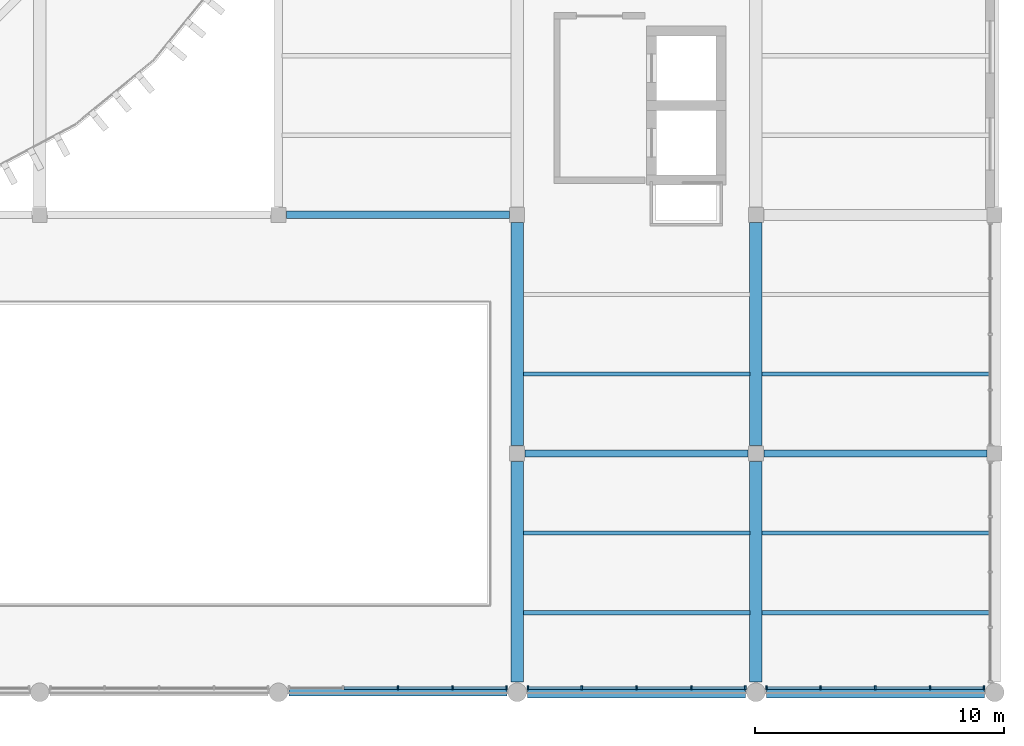
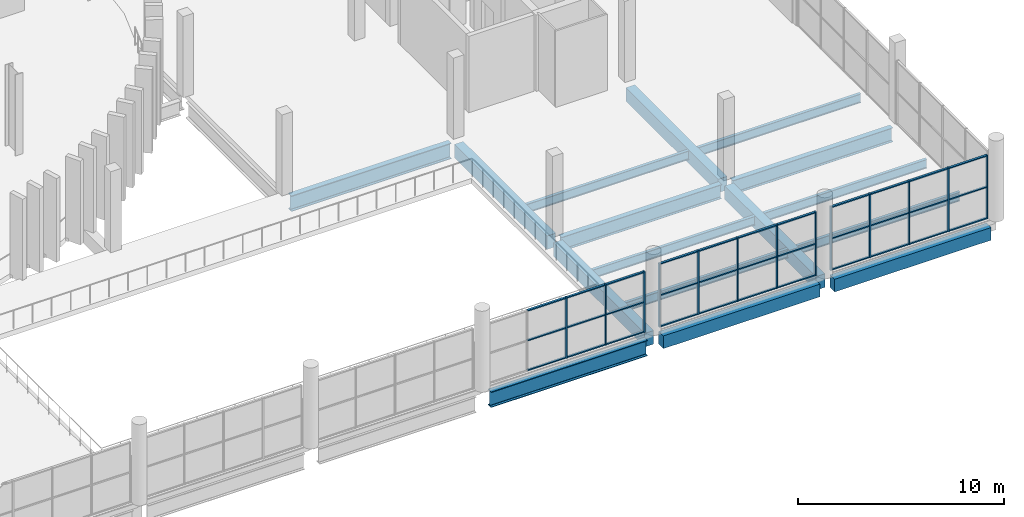
# One storey, part 40 of 99: 46 members, 16 beams, 3 elements without a shape of their own.
"""IFC4 building model written with IfcOpenShell, lengths in metres."""

from ifc_helpers import new_model, si_unit, direction, frame, origin, origin_2d, place, context, subcontext, project, spatial, rectangle, i_section, extrude, material, layer, layer_set, material_profile, profile_set, type_object, element, aggregate, save


model = new_model("IFC4")

# Units and contexts
model_context = context("Model", 3, precision=1e-05, world=origin(), true_north=direction((0.0, 1.0)))
body_context = subcontext(model_context, "Body", "Model", "MODEL_VIEW")
ifc_project = project(units=[si_unit("LENGTHUNIT", "METRE"), si_unit("AREAUNIT", "SQUARE_METRE"), si_unit("VOLUMEUNIT", "CUBIC_METRE"), si_unit("PLANEANGLEUNIT", "RADIAN"), si_unit("MASSUNIT", "GRAM", prefix="KILO")], contexts=[model_context])

# Site, building, storey
site_placement = place(None, origin())
site = spatial("IfcSite", under=ifc_project, at=site_placement, CompositionType="ELEMENT")
building_placement = place(site_placement, origin())
building = spatial("IfcBuilding", under=site, at=building_placement, Name="Caelomonte Colonnade Arena", CompositionType="ELEMENT")
storey_placement = place(building_placement, frame((0.0, 0.0, 4.800048828125)))
storey = spatial("IfcBuildingStorey", under=building, at=storey_placement, Name="L01", CompositionType="ELEMENT", Elevation=4.800048828125)

# Curtain wall, members
ifc_material_1 = material(Name="Bronze anodised aluminium and low-E glazing", Category="aluminium")
ifc_layer_1 = layer(ifc_material_1, 0.179931640625)
ifc_layer_set_1 = layer_set([ifc_layer_1], Name="Bronze anodised aluminium and low-E glazing")
curtain_wall_type_1 = type_object("IfcCurtainWallType", Name="ENV-CW-CW-L01-89-36", PredefinedType="USERDEFINED", material=ifc_layer_set_1)
curtain_wall_1_placement = place(storey_placement, origin())
curtain_wall_1 = element("IfcCurtainWall", 1, at=curtain_wall_1_placement, inside=storey, type_object=curtain_wall_type_1, Name="L01 unitized curtain wall CW-L01-1680-0002", ObjectType="UNITIZED CURTAIN WALL", PredefinedType="USERDEFINED")
ifc_material_2 = material(Name="Bronze anodised aluminium AA6063-T6", Category="aluminium")
ifc_material_profile_1 = material_profile(ifc_material_2, rectangle(XDim=0.06494140625, YDim=0.14990234375, at=origin_2d()), Name="CWM-65X150")
ifc_profile_set_1 = profile_set([ifc_material_profile_1], Name="Bronze anodised aluminium AA6063-T6")
member_type_1 = type_object("IfcMemberType", Name="ENV-CW-MULL2", PredefinedType="MULLION", material=ifc_profile_set_1)
member_1_placement = place(storey_placement, frame((168.0, 0.179931640625, 0.0), z_axis=(0.0, 0.0, 1.0), x_axis=(1.0, 0.0, 0.0)))
member_1 = element("IfcMember", 2, at=member_1_placement, type_object=member_type_1, Name="CW-L01-89-36 mullion 3", PredefinedType="MULLION", context=body_context, shape_type="SweptSolid", body=[
    extrude(rectangle(XDim=0.06494140625, YDim=0.14990234375, at=origin_2d()), origin(), (0.0, 0.0, 1.0), 3.593017578125),
])
member_2_placement = place(storey_placement, frame((170.202392578125, 0.179931640625, 0.0), z_axis=(0.0, 0.0, 1.0), x_axis=(1.0, 0.0, 0.0)))
member_2 = element("IfcMember", 3, at=member_2_placement, type_object=member_type_1, Name="CW-L01-89-36 mullion 4", PredefinedType="MULLION", context=body_context, shape_type="SweptSolid", body=[
    extrude(rectangle(XDim=0.06494140625, YDim=0.14990234375, at=origin_2d()), origin(), (0.0, 0.0, 1.0), 3.593017578125),
])
member_3_placement = place(storey_placement, frame((172.37255859375, 0.179931640625, 0.0), z_axis=(0.0, 0.0, 1.0), x_axis=(1.0, 0.0, 0.0)))
member_3 = element("IfcMember", 4, at=member_3_placement, type_object=member_type_1, Name="CW-L01-89-36 mullion 5", PredefinedType="MULLION", context=body_context, shape_type="SweptSolid", body=[
    extrude(rectangle(XDim=0.06494140625, YDim=0.14990234375, at=origin_2d()), origin(), (0.0, 0.0, 1.0), 3.593017578125),
])

ifc_layer_2 = layer(ifc_material_1, 0.179931640625)
ifc_layer_set_2 = layer_set([ifc_layer_2], Name="Bronze anodised aluminium and low-E glazing")
curtain_wall_type_2 = type_object("IfcCurtainWallType", Name="ENV-CW-CW-L01-89-38", PredefinedType="USERDEFINED", material=ifc_layer_set_2)
curtain_wall_2_placement = place(storey_placement, origin())
curtain_wall_2 = element("IfcCurtainWall", 5, at=curtain_wall_2_placement, inside=storey, type_object=curtain_wall_type_2, Name="L01 unitized curtain wall CW-L01-1776-0002", ObjectType="UNITIZED CURTAIN WALL", PredefinedType="USERDEFINED")
member_4_placement = place(storey_placement, frame((173.2275390625, 0.179931640625, 0.0), z_axis=(0.0, 0.0, 1.0), x_axis=(1.0, 0.0, 0.0)))
member_4 = element("IfcMember", 6, at=member_4_placement, type_object=member_type_1, Name="CW-L01-89-38 mullion 1", PredefinedType="MULLION", context=body_context, shape_type="SweptSolid", body=[
    extrude(rectangle(XDim=0.06494140625, YDim=0.14990234375, at=origin_2d()), origin(), (0.0, 0.0, 1.0), 3.77001953125),
])
member_5_placement = place(storey_placement, frame((175.3974609375, 0.179931640625, 0.0), z_axis=(0.0, 0.0, 1.0), x_axis=(1.0, 0.0, 0.0)))
member_5 = element("IfcMember", 7, at=member_5_placement, type_object=member_type_1, Name="CW-L01-89-38 mullion 2", PredefinedType="MULLION", context=body_context, shape_type="SweptSolid", body=[
    extrude(rectangle(XDim=0.06494140625, YDim=0.14990234375, at=origin_2d()), origin(), (0.0, 0.0, 1.0), 3.77001953125),
])
member_6_placement = place(storey_placement, frame((177.60009765625, 0.179931640625, 0.0), z_axis=(0.0, 0.0, 1.0), x_axis=(1.0, 0.0, 0.0)))
member_6 = element("IfcMember", 8, at=member_6_placement, type_object=member_type_1, Name="CW-L01-89-38 mullion 3", PredefinedType="MULLION", context=body_context, shape_type="SweptSolid", body=[
    extrude(rectangle(XDim=0.06494140625, YDim=0.14990234375, at=origin_2d()), origin(), (0.0, 0.0, 1.0), 3.77001953125),
])
member_7_placement = place(storey_placement, frame((179.802490234375, 0.179931640625, 0.0), z_axis=(0.0, 0.0, 1.0), x_axis=(1.0, 0.0, 0.0)))
member_7 = element("IfcMember", 9, at=member_7_placement, type_object=member_type_1, Name="CW-L01-89-38 mullion 4", PredefinedType="MULLION", context=body_context, shape_type="SweptSolid", body=[
    extrude(rectangle(XDim=0.06494140625, YDim=0.14990234375, at=origin_2d()), origin(), (0.0, 0.0, 1.0), 3.77001953125),
])
member_8_placement = place(storey_placement, frame((181.972412109375, 0.179931640625, 0.0), z_axis=(0.0, 0.0, 1.0), x_axis=(1.0, 0.0, 0.0)))
member_8 = element("IfcMember", 10, at=member_8_placement, type_object=member_type_1, Name="CW-L01-89-38 mullion 5", PredefinedType="MULLION", context=body_context, shape_type="SweptSolid", body=[
    extrude(rectangle(XDim=0.06494140625, YDim=0.14990234375, at=origin_2d()), origin(), (0.0, 0.0, 1.0), 3.77001953125),
])

curtain_wall_3_placement = place(storey_placement, origin())
curtain_wall_3 = element("IfcCurtainWall", 11, at=curtain_wall_3_placement, inside=storey, type_object=curtain_wall_type_2, Name="L01 unitized curtain wall CW-L01-1872-0002", ObjectType="UNITIZED CURTAIN WALL", PredefinedType="USERDEFINED")
member_9_placement = place(storey_placement, frame((182.827392578125, 0.179931640625, 0.0), z_axis=(0.0, 0.0, 1.0), x_axis=(1.0, 0.0, 0.0)))
member_9 = element("IfcMember", 12, at=member_9_placement, type_object=member_type_1, Name="CW-L01-89-38 mullion 1", PredefinedType="MULLION", context=body_context, shape_type="SweptSolid", body=[
    extrude(rectangle(XDim=0.06494140625, YDim=0.14990234375, at=origin_2d()), origin(), (0.0, 0.0, 1.0), 3.77001953125),
])
member_10_placement = place(storey_placement, frame((184.99755859375, 0.179931640625, 0.0), z_axis=(0.0, 0.0, 1.0), x_axis=(1.0, 0.0, 0.0)))
member_10 = element("IfcMember", 13, at=member_10_placement, type_object=member_type_1, Name="CW-L01-89-38 mullion 2", PredefinedType="MULLION", context=body_context, shape_type="SweptSolid", body=[
    extrude(rectangle(XDim=0.06494140625, YDim=0.14990234375, at=origin_2d()), origin(), (0.0, 0.0, 1.0), 3.77001953125),
])
member_11_placement = place(storey_placement, frame((187.199951171875, 0.179931640625, 0.0), z_axis=(0.0, 0.0, 1.0), x_axis=(1.0, 0.0, 0.0)))
member_11 = element("IfcMember", 14, at=member_11_placement, type_object=member_type_1, Name="CW-L01-89-38 mullion 3", PredefinedType="MULLION", context=body_context, shape_type="SweptSolid", body=[
    extrude(rectangle(XDim=0.06494140625, YDim=0.14990234375, at=origin_2d()), origin(), (0.0, 0.0, 1.0), 3.77001953125),
])
member_12_placement = place(storey_placement, frame((189.402587890625, 0.179931640625, 0.0), z_axis=(0.0, 0.0, 1.0), x_axis=(1.0, 0.0, 0.0)))
member_12 = element("IfcMember", 15, at=member_12_placement, type_object=member_type_1, Name="CW-L01-89-38 mullion 4", PredefinedType="MULLION", context=body_context, shape_type="SweptSolid", body=[
    extrude(rectangle(XDim=0.06494140625, YDim=0.14990234375, at=origin_2d()), origin(), (0.0, 0.0, 1.0), 3.77001953125),
])
member_13_placement = place(storey_placement, frame((191.572509765625, 0.179931640625, 0.0), z_axis=(0.0, 0.0, 1.0), x_axis=(1.0, 0.0, 0.0)))
member_13 = element("IfcMember", 16, at=member_13_placement, type_object=member_type_1, Name="CW-L01-89-38 mullion 5", PredefinedType="MULLION", context=body_context, shape_type="SweptSolid", body=[
    extrude(rectangle(XDim=0.06494140625, YDim=0.14990234375, at=origin_2d()), origin(), (0.0, 0.0, 1.0), 3.77001953125),
])

# Member
ifc_material_profile_2 = material_profile(ifc_material_2, rectangle(XDim=0.06494140625, YDim=0.1201171875, at=origin_2d()), Name="CWT-65X120")
ifc_profile_set_2 = profile_set([ifc_material_profile_2], Name="Bronze anodised aluminium AA6063-T6")
member_type_2 = type_object("IfcMemberType", Name="ENV-CW-TRAN2", PredefinedType="USERDEFINED", material=ifc_profile_set_2)
member_14_placement = place(storey_placement, frame((165.830078125, 0.179931640625, 0.032470703125), z_axis=(1.0, 0.0, 0.0), x_axis=(0.0, 0.0, 1.0)))
member_14 = element("IfcMember", 17, at=member_14_placement, type_object=member_type_2, Name="CW-L01-89-36 transom 2.1", ObjectType="TRANSOM", PredefinedType="USERDEFINED", context=body_context, shape_type="SweptSolid", body=[
    extrude(rectangle(XDim=0.06494140625, YDim=0.1201171875, at=origin_2d()), origin(), (0.0, 0.0, 1.0), 2.137451171875),
])

member_15_placement = place(storey_placement, frame((165.830078125, 0.179931640625, 1.79638671875), z_axis=(1.0, 0.0, 0.0), x_axis=(0.0, 0.0, 1.0)))
member_15 = element("IfcMember", 18, at=member_15_placement, type_object=member_type_2, Name="CW-L01-89-36 transom 2.2", ObjectType="TRANSOM", PredefinedType="USERDEFINED", context=body_context, shape_type="SweptSolid", body=[
    extrude(rectangle(XDim=0.06494140625, YDim=0.1201171875, at=origin_2d()), origin(), (0.0, 0.0, 1.0), 2.137451171875),
])

member_16_placement = place(storey_placement, frame((165.830078125, 0.179931640625, 3.560546875), z_axis=(1.0, 0.0, 0.0), x_axis=(0.0, 0.0, 1.0)))
member_16 = element("IfcMember", 19, at=member_16_placement, type_object=member_type_2, Name="CW-L01-89-36 transom 2.3", ObjectType="TRANSOM", PredefinedType="USERDEFINED", context=body_context, shape_type="SweptSolid", body=[
    extrude(rectangle(XDim=0.06494140625, YDim=0.1201171875, at=origin_2d()), origin(), (0.0, 0.0, 1.0), 2.137451171875),
])

member_17_placement = place(storey_placement, frame((168.032470703125, 0.179931640625, 0.032470703125), z_axis=(1.0, 0.0, 0.0), x_axis=(0.0, 0.0, 1.0)))
member_17 = element("IfcMember", 20, at=member_17_placement, type_object=member_type_2, Name="CW-L01-89-36 transom 3.1", ObjectType="TRANSOM", PredefinedType="USERDEFINED", context=body_context, shape_type="SweptSolid", body=[
    extrude(rectangle(XDim=0.06494140625, YDim=0.1201171875, at=origin_2d()), origin(), (0.0, 0.0, 1.0), 2.137451171875),
])

member_18_placement = place(storey_placement, frame((168.032470703125, 0.179931640625, 1.79638671875), z_axis=(1.0, 0.0, 0.0), x_axis=(0.0, 0.0, 1.0)))
member_18 = element("IfcMember", 21, at=member_18_placement, type_object=member_type_2, Name="CW-L01-89-36 transom 3.2", ObjectType="TRANSOM", PredefinedType="USERDEFINED", context=body_context, shape_type="SweptSolid", body=[
    extrude(rectangle(XDim=0.06494140625, YDim=0.1201171875, at=origin_2d()), origin(), (0.0, 0.0, 1.0), 2.137451171875),
])

member_19_placement = place(storey_placement, frame((168.032470703125, 0.179931640625, 3.560546875), z_axis=(1.0, 0.0, 0.0), x_axis=(0.0, 0.0, 1.0)))
member_19 = element("IfcMember", 22, at=member_19_placement, type_object=member_type_2, Name="CW-L01-89-36 transom 3.3", ObjectType="TRANSOM", PredefinedType="USERDEFINED", context=body_context, shape_type="SweptSolid", body=[
    extrude(rectangle(XDim=0.06494140625, YDim=0.1201171875, at=origin_2d()), origin(), (0.0, 0.0, 1.0), 2.137451171875),
])

member_20_placement = place(storey_placement, frame((170.235107421875, 0.179931640625, 0.032470703125), z_axis=(1.0, 0.0, 0.0), x_axis=(0.0, 0.0, 1.0)))
member_20 = element("IfcMember", 23, at=member_20_placement, type_object=member_type_2, Name="CW-L01-89-36 transom 4.1", ObjectType="TRANSOM", PredefinedType="USERDEFINED", context=body_context, shape_type="SweptSolid", body=[
    extrude(rectangle(XDim=0.06494140625, YDim=0.1201171875, at=origin_2d()), origin(), (0.0, 0.0, 1.0), 2.10498046875),
])

member_21_placement = place(storey_placement, frame((170.235107421875, 0.179931640625, 1.79638671875), z_axis=(1.0, 0.0, 0.0), x_axis=(0.0, 0.0, 1.0)))
member_21 = element("IfcMember", 24, at=member_21_placement, type_object=member_type_2, Name="CW-L01-89-36 transom 4.2", ObjectType="TRANSOM", PredefinedType="USERDEFINED", context=body_context, shape_type="SweptSolid", body=[
    extrude(rectangle(XDim=0.06494140625, YDim=0.1201171875, at=origin_2d()), origin(), (0.0, 0.0, 1.0), 2.10498046875),
])

member_22_placement = place(storey_placement, frame((170.235107421875, 0.179931640625, 3.560546875), z_axis=(1.0, 0.0, 0.0), x_axis=(0.0, 0.0, 1.0)))
member_22 = element("IfcMember", 25, at=member_22_placement, type_object=member_type_2, Name="CW-L01-89-36 transom 4.3", ObjectType="TRANSOM", PredefinedType="USERDEFINED", context=body_context, shape_type="SweptSolid", body=[
    extrude(rectangle(XDim=0.06494140625, YDim=0.1201171875, at=origin_2d()), origin(), (0.0, 0.0, 1.0), 2.10498046875),
])

aggregate(curtain_wall_1, [member_1, member_2, member_3, member_14, member_15, member_16, member_17, member_18, member_19, member_20, member_21, member_22])

member_23_placement = place(storey_placement, frame((173.260009765625, 0.179931640625, 0.032470703125), z_axis=(1.0, 0.0, 0.0), x_axis=(0.0, 0.0, 1.0)))
member_23 = element("IfcMember", 26, at=member_23_placement, type_object=member_type_2, Name="CW-L01-89-38 transom 1.1", ObjectType="TRANSOM", PredefinedType="USERDEFINED", context=body_context, shape_type="SweptSolid", body=[
    extrude(rectangle(XDim=0.06494140625, YDim=0.1201171875, at=origin_2d()), origin(), (0.0, 0.0, 1.0), 2.10498046875),
])

member_24_placement = place(storey_placement, frame((173.260009765625, 0.179931640625, 1.885009765625), z_axis=(1.0, 0.0, 0.0), x_axis=(0.0, 0.0, 1.0)))
member_24 = element("IfcMember", 27, at=member_24_placement, type_object=member_type_2, Name="CW-L01-89-38 transom 1.2", ObjectType="TRANSOM", PredefinedType="USERDEFINED", context=body_context, shape_type="SweptSolid", body=[
    extrude(rectangle(XDim=0.06494140625, YDim=0.1201171875, at=origin_2d()), origin(), (0.0, 0.0, 1.0), 2.10498046875),
])

member_25_placement = place(storey_placement, frame((173.260009765625, 0.179931640625, 3.737548828125), z_axis=(1.0, 0.0, 0.0), x_axis=(0.0, 0.0, 1.0)))
member_25 = element("IfcMember", 28, at=member_25_placement, type_object=member_type_2, Name="CW-L01-89-38 transom 1.3", ObjectType="TRANSOM", PredefinedType="USERDEFINED", context=body_context, shape_type="SweptSolid", body=[
    extrude(rectangle(XDim=0.06494140625, YDim=0.1201171875, at=origin_2d()), origin(), (0.0, 0.0, 1.0), 2.10498046875),
])

member_26_placement = place(storey_placement, frame((175.429931640625, 0.179931640625, 0.032470703125), z_axis=(1.0, 0.0, 0.0), x_axis=(0.0, 0.0, 1.0)))
member_26 = element("IfcMember", 29, at=member_26_placement, type_object=member_type_2, Name="CW-L01-89-38 transom 2.1", ObjectType="TRANSOM", PredefinedType="USERDEFINED", context=body_context, shape_type="SweptSolid", body=[
    extrude(rectangle(XDim=0.06494140625, YDim=0.1201171875, at=origin_2d()), origin(), (0.0, 0.0, 1.0), 2.137451171875),
])

member_27_placement = place(storey_placement, frame((175.429931640625, 0.179931640625, 1.885009765625), z_axis=(1.0, 0.0, 0.0), x_axis=(0.0, 0.0, 1.0)))
member_27 = element("IfcMember", 30, at=member_27_placement, type_object=member_type_2, Name="CW-L01-89-38 transom 2.2", ObjectType="TRANSOM", PredefinedType="USERDEFINED", context=body_context, shape_type="SweptSolid", body=[
    extrude(rectangle(XDim=0.06494140625, YDim=0.1201171875, at=origin_2d()), origin(), (0.0, 0.0, 1.0), 2.137451171875),
])

member_28_placement = place(storey_placement, frame((175.429931640625, 0.179931640625, 3.737548828125), z_axis=(1.0, 0.0, 0.0), x_axis=(0.0, 0.0, 1.0)))
member_28 = element("IfcMember", 31, at=member_28_placement, type_object=member_type_2, Name="CW-L01-89-38 transom 2.3", ObjectType="TRANSOM", PredefinedType="USERDEFINED", context=body_context, shape_type="SweptSolid", body=[
    extrude(rectangle(XDim=0.06494140625, YDim=0.1201171875, at=origin_2d()), origin(), (0.0, 0.0, 1.0), 2.137451171875),
])

member_29_placement = place(storey_placement, frame((177.632568359375, 0.179931640625, 0.032470703125), z_axis=(1.0, 0.0, 0.0), x_axis=(0.0, 0.0, 1.0)))
member_29 = element("IfcMember", 32, at=member_29_placement, type_object=member_type_2, Name="CW-L01-89-38 transom 3.1", ObjectType="TRANSOM", PredefinedType="USERDEFINED", context=body_context, shape_type="SweptSolid", body=[
    extrude(rectangle(XDim=0.06494140625, YDim=0.1201171875, at=origin_2d()), origin(), (0.0, 0.0, 1.0), 2.137451171875),
])

member_30_placement = place(storey_placement, frame((177.632568359375, 0.179931640625, 1.885009765625), z_axis=(1.0, 0.0, 0.0), x_axis=(0.0, 0.0, 1.0)))
member_30 = element("IfcMember", 33, at=member_30_placement, type_object=member_type_2, Name="CW-L01-89-38 transom 3.2", ObjectType="TRANSOM", PredefinedType="USERDEFINED", context=body_context, shape_type="SweptSolid", body=[
    extrude(rectangle(XDim=0.06494140625, YDim=0.1201171875, at=origin_2d()), origin(), (0.0, 0.0, 1.0), 2.137451171875),
])

member_31_placement = place(storey_placement, frame((177.632568359375, 0.179931640625, 3.737548828125), z_axis=(1.0, 0.0, 0.0), x_axis=(0.0, 0.0, 1.0)))
member_31 = element("IfcMember", 34, at=member_31_placement, type_object=member_type_2, Name="CW-L01-89-38 transom 3.3", ObjectType="TRANSOM", PredefinedType="USERDEFINED", context=body_context, shape_type="SweptSolid", body=[
    extrude(rectangle(XDim=0.06494140625, YDim=0.1201171875, at=origin_2d()), origin(), (0.0, 0.0, 1.0), 2.137451171875),
])

member_32_placement = place(storey_placement, frame((179.8349609375, 0.179931640625, 0.032470703125), z_axis=(1.0, 0.0, 0.0), x_axis=(0.0, 0.0, 1.0)))
member_32 = element("IfcMember", 35, at=member_32_placement, type_object=member_type_2, Name="CW-L01-89-38 transom 4.1", ObjectType="TRANSOM", PredefinedType="USERDEFINED", context=body_context, shape_type="SweptSolid", body=[
    extrude(rectangle(XDim=0.06494140625, YDim=0.1201171875, at=origin_2d()), origin(), (0.0, 0.0, 1.0), 2.10498046875),
])

member_33_placement = place(storey_placement, frame((179.8349609375, 0.179931640625, 1.885009765625), z_axis=(1.0, 0.0, 0.0), x_axis=(0.0, 0.0, 1.0)))
member_33 = element("IfcMember", 36, at=member_33_placement, type_object=member_type_2, Name="CW-L01-89-38 transom 4.2", ObjectType="TRANSOM", PredefinedType="USERDEFINED", context=body_context, shape_type="SweptSolid", body=[
    extrude(rectangle(XDim=0.06494140625, YDim=0.1201171875, at=origin_2d()), origin(), (0.0, 0.0, 1.0), 2.10498046875),
])

member_34_placement = place(storey_placement, frame((179.8349609375, 0.179931640625, 3.737548828125), z_axis=(1.0, 0.0, 0.0), x_axis=(0.0, 0.0, 1.0)))
member_34 = element("IfcMember", 37, at=member_34_placement, type_object=member_type_2, Name="CW-L01-89-38 transom 4.3", ObjectType="TRANSOM", PredefinedType="USERDEFINED", context=body_context, shape_type="SweptSolid", body=[
    extrude(rectangle(XDim=0.06494140625, YDim=0.1201171875, at=origin_2d()), origin(), (0.0, 0.0, 1.0), 2.10498046875),
])

aggregate(curtain_wall_2, [member_4, member_5, member_6, member_7, member_8, member_23, member_24, member_25, member_26, member_27, member_28, member_29, member_30, member_31, member_32, member_33, member_34])

member_35_placement = place(storey_placement, frame((182.860107421875, 0.179931640625, 0.032470703125), z_axis=(1.0, 0.0, 0.0), x_axis=(0.0, 0.0, 1.0)))
member_35 = element("IfcMember", 38, at=member_35_placement, type_object=member_type_2, Name="CW-L01-89-38 transom 1.1", ObjectType="TRANSOM", PredefinedType="USERDEFINED", context=body_context, shape_type="SweptSolid", body=[
    extrude(rectangle(XDim=0.06494140625, YDim=0.1201171875, at=origin_2d()), origin(), (0.0, 0.0, 1.0), 2.10498046875),
])

member_36_placement = place(storey_placement, frame((182.860107421875, 0.179931640625, 1.885009765625), z_axis=(1.0, 0.0, 0.0), x_axis=(0.0, 0.0, 1.0)))
member_36 = element("IfcMember", 39, at=member_36_placement, type_object=member_type_2, Name="CW-L01-89-38 transom 1.2", ObjectType="TRANSOM", PredefinedType="USERDEFINED", context=body_context, shape_type="SweptSolid", body=[
    extrude(rectangle(XDim=0.06494140625, YDim=0.1201171875, at=origin_2d()), origin(), (0.0, 0.0, 1.0), 2.10498046875),
])

member_37_placement = place(storey_placement, frame((182.860107421875, 0.179931640625, 3.737548828125), z_axis=(1.0, 0.0, 0.0), x_axis=(0.0, 0.0, 1.0)))
member_37 = element("IfcMember", 40, at=member_37_placement, type_object=member_type_2, Name="CW-L01-89-38 transom 1.3", ObjectType="TRANSOM", PredefinedType="USERDEFINED", context=body_context, shape_type="SweptSolid", body=[
    extrude(rectangle(XDim=0.06494140625, YDim=0.1201171875, at=origin_2d()), origin(), (0.0, 0.0, 1.0), 2.10498046875),
])

member_38_placement = place(storey_placement, frame((185.030029296875, 0.179931640625, 0.032470703125), z_axis=(1.0, 0.0, 0.0), x_axis=(0.0, 0.0, 1.0)))
member_38 = element("IfcMember", 41, at=member_38_placement, type_object=member_type_2, Name="CW-L01-89-38 transom 2.1", ObjectType="TRANSOM", PredefinedType="USERDEFINED", context=body_context, shape_type="SweptSolid", body=[
    extrude(rectangle(XDim=0.06494140625, YDim=0.1201171875, at=origin_2d()), origin(), (0.0, 0.0, 1.0), 2.137451171875),
])

member_39_placement = place(storey_placement, frame((185.030029296875, 0.179931640625, 1.885009765625), z_axis=(1.0, 0.0, 0.0), x_axis=(0.0, 0.0, 1.0)))
member_39 = element("IfcMember", 42, at=member_39_placement, type_object=member_type_2, Name="CW-L01-89-38 transom 2.2", ObjectType="TRANSOM", PredefinedType="USERDEFINED", context=body_context, shape_type="SweptSolid", body=[
    extrude(rectangle(XDim=0.06494140625, YDim=0.1201171875, at=origin_2d()), origin(), (0.0, 0.0, 1.0), 2.137451171875),
])

member_40_placement = place(storey_placement, frame((185.030029296875, 0.179931640625, 3.737548828125), z_axis=(1.0, 0.0, 0.0), x_axis=(0.0, 0.0, 1.0)))
member_40 = element("IfcMember", 43, at=member_40_placement, type_object=member_type_2, Name="CW-L01-89-38 transom 2.3", ObjectType="TRANSOM", PredefinedType="USERDEFINED", context=body_context, shape_type="SweptSolid", body=[
    extrude(rectangle(XDim=0.06494140625, YDim=0.1201171875, at=origin_2d()), origin(), (0.0, 0.0, 1.0), 2.137451171875),
])

member_41_placement = place(storey_placement, frame((187.232421875, 0.179931640625, 0.032470703125), z_axis=(1.0, 0.0, 0.0), x_axis=(0.0, 0.0, 1.0)))
member_41 = element("IfcMember", 44, at=member_41_placement, type_object=member_type_2, Name="CW-L01-89-38 transom 3.1", ObjectType="TRANSOM", PredefinedType="USERDEFINED", context=body_context, shape_type="SweptSolid", body=[
    extrude(rectangle(XDim=0.06494140625, YDim=0.1201171875, at=origin_2d()), origin(), (0.0, 0.0, 1.0), 2.1376953125),
])

member_42_placement = place(storey_placement, frame((187.232421875, 0.179931640625, 1.885009765625), z_axis=(1.0, 0.0, 0.0), x_axis=(0.0, 0.0, 1.0)))
member_42 = element("IfcMember", 45, at=member_42_placement, type_object=member_type_2, Name="CW-L01-89-38 transom 3.2", ObjectType="TRANSOM", PredefinedType="USERDEFINED", context=body_context, shape_type="SweptSolid", body=[
    extrude(rectangle(XDim=0.06494140625, YDim=0.1201171875, at=origin_2d()), origin(), (0.0, 0.0, 1.0), 2.1376953125),
])

member_43_placement = place(storey_placement, frame((187.232421875, 0.179931640625, 3.737548828125), z_axis=(1.0, 0.0, 0.0), x_axis=(0.0, 0.0, 1.0)))
member_43 = element("IfcMember", 46, at=member_43_placement, type_object=member_type_2, Name="CW-L01-89-38 transom 3.3", ObjectType="TRANSOM", PredefinedType="USERDEFINED", context=body_context, shape_type="SweptSolid", body=[
    extrude(rectangle(XDim=0.06494140625, YDim=0.1201171875, at=origin_2d()), origin(), (0.0, 0.0, 1.0), 2.1376953125),
])

member_44_placement = place(storey_placement, frame((189.43505859375, 0.179931640625, 0.032470703125), z_axis=(1.0, 0.0, 0.0), x_axis=(0.0, 0.0, 1.0)))
member_44 = element("IfcMember", 47, at=member_44_placement, type_object=member_type_2, Name="CW-L01-89-38 transom 4.1", ObjectType="TRANSOM", PredefinedType="USERDEFINED", context=body_context, shape_type="SweptSolid", body=[
    extrude(rectangle(XDim=0.06494140625, YDim=0.1201171875, at=origin_2d()), origin(), (0.0, 0.0, 1.0), 2.10498046875),
])

member_45_placement = place(storey_placement, frame((189.43505859375, 0.179931640625, 1.885009765625), z_axis=(1.0, 0.0, 0.0), x_axis=(0.0, 0.0, 1.0)))
member_45 = element("IfcMember", 48, at=member_45_placement, type_object=member_type_2, Name="CW-L01-89-38 transom 4.2", ObjectType="TRANSOM", PredefinedType="USERDEFINED", context=body_context, shape_type="SweptSolid", body=[
    extrude(rectangle(XDim=0.06494140625, YDim=0.1201171875, at=origin_2d()), origin(), (0.0, 0.0, 1.0), 2.10498046875),
])

member_46_placement = place(storey_placement, frame((189.43505859375, 0.179931640625, 3.737548828125), z_axis=(1.0, 0.0, 0.0), x_axis=(0.0, 0.0, 1.0)))
member_46 = element("IfcMember", 49, at=member_46_placement, type_object=member_type_2, Name="CW-L01-89-38 transom 4.3", ObjectType="TRANSOM", PredefinedType="USERDEFINED", context=body_context, shape_type="SweptSolid", body=[
    extrude(rectangle(XDim=0.06494140625, YDim=0.1201171875, at=origin_2d()), origin(), (0.0, 0.0, 1.0), 2.10498046875),
])

aggregate(curtain_wall_3, [member_9, member_10, member_11, member_12, member_13, member_35, member_36, member_37, member_38, member_39, member_40, member_41, member_42, member_43, member_44, member_45, member_46])

# Beams
ifc_material_3 = material(Name="Wide-flange steel ASTM A992 Grade 50", Category="steel")
ifc_material_profile_3 = material_profile(ifc_material_3, i_section(OverallWidth=0.307861328125, OverallDepth=0.927001953125, WebThickness=0.019287109375, FlangeThickness=0.031982421875, FilletRadius=0.020263671875, at=origin_2d()), Name="W36X194")
ifc_profile_set_3 = profile_set([ifc_material_profile_3], Name="Wide-flange steel ASTM A992 Grade 50")
beam_type_1 = type_object("IfcBeamType", Name="STR-BM-EAVES2", PredefinedType="SPANDREL", material=ifc_profile_set_3)
beam_1_placement = place(storey_placement, frame((163.616943359375, 0.0, -0.763427734375), z_axis=(1.0, 0.0, 0.0), x_axis=(0.0, 1.0, 0.0)))
element("IfcBeam", 50, at=beam_1_placement, inside=storey, type_object=beam_type_1, Name="L01 girder BMX-L01-1632-0000", PredefinedType="SPANDREL", context=body_context, shape_type="SweptSolid", body=[
    extrude(i_section(OverallWidth=0.307861328125, OverallDepth=0.927001953125, WebThickness=0.019287109375, FlangeThickness=0.031982421875, FilletRadius=0.020263671875, at=origin_2d()), origin(), (0.0, 0.0, 1.0), 8.76611328125),
])
beam_2_placement = place(storey_placement, frame((163.51708984375, 19.199951171875, -0.763427734375), z_axis=(1.0, 0.0, 0.0), x_axis=(0.0, 1.0, 0.0)))
element("IfcBeam", 51, at=beam_2_placement, inside=storey, type_object=beam_type_1, Name="L01 girder BMX-L01-1632-0192", PredefinedType="SPANDREL", context=body_context, shape_type="SweptSolid", body=[
    extrude(i_section(OverallWidth=0.307861328125, OverallDepth=0.927001953125, WebThickness=0.019287109375, FlangeThickness=0.031982421875, FilletRadius=0.020263671875, at=origin_2d()), origin(), (0.0, 0.0, 1.0), 8.9658203125),
])
ifc_material_profile_4 = material_profile(ifc_material_3, i_section(OverallWidth=0.2919921875, OverallDepth=0.835693359375, WebThickness=0.013916015625, FlangeThickness=0.018798828125, FilletRadius=0.017822265625, at=origin_2d()), Name="W33X118")
ifc_profile_set_4 = profile_set([ifc_material_profile_4], Name="Wide-flange steel ASTM A992 Grade 50")
beam_type_2 = type_object("IfcBeamType", Name="STR-BM-GIRD33B", PredefinedType="BEAM", material=ifc_profile_set_4)
for number, where, z_axis, x_axis, name in (
    (52, (173.116943359375, 9.60009765625, -0.7177734375), (1.0, 0.0, 0.0), (0.0, 1.0, 0.0), "L01 girder BMX-L01-1728-0096"),
    (53, (182.717041015625, 9.60009765625, -0.7177734375), (1.0, 0.0, 0.0), (0.0, 1.0, 0.0), "L01 girder BMX-L01-1824-0096"),
):
    element("IfcBeam", number, at=place(storey_placement, frame(where, z_axis=z_axis, x_axis=x_axis)), inside=storey, type_object=beam_type_2, Name=name, PredefinedType="BEAM", context=body_context, shape_type="SweptSolid", body=[
        extrude(i_section(OverallWidth=0.2919921875, OverallDepth=0.835693359375, WebThickness=0.013916015625, FlangeThickness=0.018798828125, FilletRadius=0.017822265625, at=origin_2d()), origin(), (0.0, 0.0, 1.0), 8.966064453125),
    ])
ifc_material_profile_5 = material_profile(ifc_material_3, i_section(OverallWidth=0.166015625, OverallDepth=0.5283203125, WebThickness=0.009765625, FlangeThickness=0.013671875, FilletRadius=0.0126953125, at=origin_2d()), Name="W21X50")
ifc_profile_set_5 = profile_set([ifc_material_profile_5], Name="Wide-flange steel ASTM A992 Grade 50")
beam_type_3 = type_object("IfcBeamType", Name="STR-BM-JOIST21B", PredefinedType="JOIST", material=ifc_profile_set_5)
for number, where, z_axis, x_axis, name in (
    (54, (173.044921875, 3.199951171875, -0.564208984375), (1.0, 0.0, 0.0), (0.0, 1.0, 0.0), "L01 secondary joist 1"),
    (55, (173.044921875, 6.39990234375, -0.564208984375), (1.0, 0.0, 0.0), (0.0, 1.0, 0.0), "L01 secondary joist 2"),
    (56, (173.044921875, 12.800048828125, -0.564208984375), (1.0, 0.0, 0.0), (0.0, 1.0, 0.0), "L01 secondary joist 1"),
):
    element("IfcBeam", number, at=place(storey_placement, frame(where, z_axis=z_axis, x_axis=x_axis)), inside=storey, type_object=beam_type_3, Name=name, PredefinedType="JOIST", context=body_context, shape_type="SweptSolid", body=[
        extrude(i_section(OverallWidth=0.166015625, OverallDepth=0.5283203125, WebThickness=0.009765625, FlangeThickness=0.013671875, FilletRadius=0.0126953125, at=origin_2d()), origin(), (0.0, 0.0, 1.0), 9.110107421875),
    ])
for number, where, z_axis, x_axis, name in (
    (57, (182.64501953125, 3.199951171875, -0.564208984375), (1.0, 0.0, 0.0), (0.0, 1.0, 0.0), "L01 secondary joist 1"),
    (58, (182.64501953125, 6.39990234375, -0.564208984375), (1.0, 0.0, 0.0), (0.0, 1.0, 0.0), "L01 secondary joist 2"),
    (59, (182.64501953125, 12.800048828125, -0.564208984375), (1.0, 0.0, 0.0), (0.0, 1.0, 0.0), "L01 secondary joist 1"),
):
    element("IfcBeam", number, at=place(storey_placement, frame(where, z_axis=z_axis, x_axis=x_axis)), inside=storey, type_object=beam_type_3, Name=name, PredefinedType="JOIST", context=body_context, shape_type="SweptSolid", body=[
        extrude(i_section(OverallWidth=0.166015625, OverallDepth=0.5283203125, WebThickness=0.009765625, FlangeThickness=0.013671875, FilletRadius=0.0126953125, at=origin_2d()), origin(), (0.0, 0.0, 1.0), 9.135009765625),
    ])
ifc_material_4 = material(Name="Concrete C40/50", Category="concrete")
ifc_material_profile_6 = material_profile(ifc_material_4, rectangle(XDim=0.5, YDim=0.800048828125, at=origin_2d()), Name="RC500X800")
ifc_profile_set_6 = profile_set([ifc_material_profile_6], Name="Concrete C40/50")
beam_type_4 = type_object("IfcBeamType", Name="STR-BM-RC50", PredefinedType="BEAM", material=ifc_profile_set_6)
beam_3_placement = place(storey_placement, frame((172.800048828125, 0.4169921875, -0.699951171875), z_axis=(0.0, 1.0, 0.0), x_axis=(-1.0, 0.0, 0.0)))
element("IfcBeam", 60, at=beam_3_placement, inside=storey, type_object=beam_type_4, Name="L01 girder BMY-L01-1728-0000", PredefinedType="BEAM", context=body_context, shape_type="SweptSolid", body=[
    extrude(rectangle(XDim=0.5, YDim=0.800048828125, at=origin_2d()), origin(), (0.0, 0.0, 1.0), 8.865966796875),
])
beam_4_placement = place(storey_placement, frame((172.800048828125, 9.9169921875, -0.699951171875), z_axis=(0.0, 1.0, 0.0), x_axis=(-1.0, 0.0, 0.0)))
element("IfcBeam", 61, at=beam_4_placement, inside=storey, type_object=beam_type_4, Name="L01 girder BMY-L01-1728-0096", PredefinedType="BEAM", context=body_context, shape_type="SweptSolid", body=[
    extrude(rectangle(XDim=0.5, YDim=0.800048828125, at=origin_2d()), origin(), (0.0, 0.0, 1.0), 8.966064453125),
])
beam_5_placement = place(storey_placement, frame((182.39990234375, 0.4169921875, -0.699951171875), z_axis=(0.0, 1.0, 0.0), x_axis=(-1.0, 0.0, 0.0)))
element("IfcBeam", 62, at=beam_5_placement, inside=storey, type_object=beam_type_4, Name="L01 girder BMY-L01-1824-0000", PredefinedType="BEAM", context=body_context, shape_type="SweptSolid", body=[
    extrude(rectangle(XDim=0.5, YDim=0.800048828125, at=origin_2d()), origin(), (0.0, 0.0, 1.0), 8.865966796875),
])
beam_6_placement = place(storey_placement, frame((182.39990234375, 9.9169921875, -0.699951171875), z_axis=(0.0, 1.0, 0.0), x_axis=(-1.0, 0.0, 0.0)))
element("IfcBeam", 63, at=beam_6_placement, inside=storey, type_object=beam_type_4, Name="L01 girder BMY-L01-1824-0096", PredefinedType="BEAM", context=body_context, shape_type="SweptSolid", body=[
    extrude(rectangle(XDim=0.5, YDim=0.800048828125, at=origin_2d()), origin(), (0.0, 0.0, 1.0), 8.966064453125),
])
ifc_material_profile_7 = material_profile(ifc_material_4, rectangle(XDim=0.449951171875, YDim=0.75, at=origin_2d()), Name="RC450X750")
ifc_profile_set_7 = profile_set([ifc_material_profile_7], Name="Concrete C40/50")
beam_type_5 = type_object("IfcBeamType", Name="STR-BM-SPAN24", PredefinedType="SPANDREL", material=ifc_profile_set_7)
beam_7_placement = place(storey_placement, frame((173.217041015625, 0.0, -0.675048828125), z_axis=(1.0, 0.0, 0.0), x_axis=(0.0, 1.0, 0.0)))
element("IfcBeam", 64, at=beam_7_placement, inside=storey, type_object=beam_type_5, Name="L01 girder BMX-L01-1728-0000", PredefinedType="SPANDREL", context=body_context, shape_type="SweptSolid", body=[
    extrude(rectangle(XDim=0.449951171875, YDim=0.75, at=origin_2d()), origin(), (0.0, 0.0, 1.0), 8.765869140625),
])
beam_8_placement = place(storey_placement, frame((182.81689453125, 0.0, -0.675048828125), z_axis=(1.0, 0.0, 0.0), x_axis=(0.0, 1.0, 0.0)))
element("IfcBeam", 65, at=beam_8_placement, inside=storey, type_object=beam_type_5, Name="L01 girder BMX-L01-1824-0000", PredefinedType="SPANDREL", context=body_context, shape_type="SweptSolid", body=[
    extrude(rectangle(XDim=0.449951171875, YDim=0.75, at=origin_2d()), origin(), (0.0, 0.0, 1.0), 8.76611328125),
])

save(model, "model.ifc")
